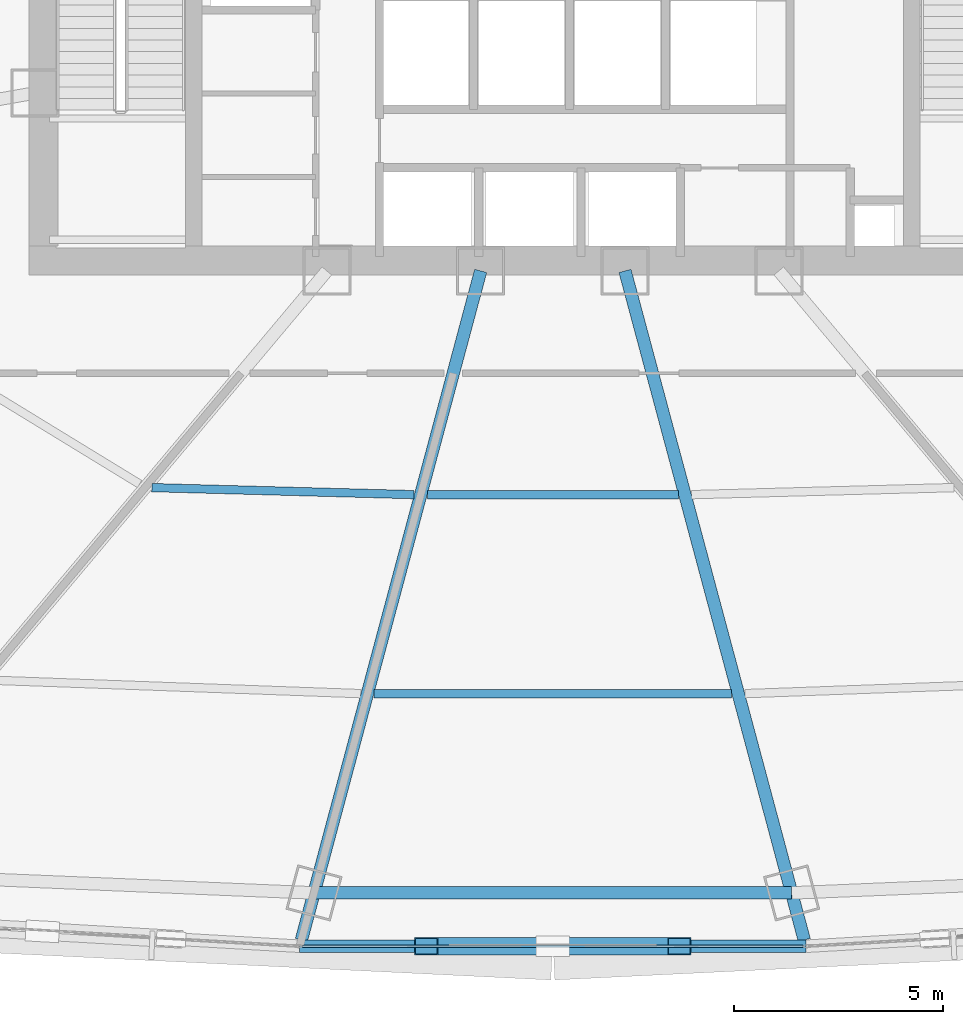
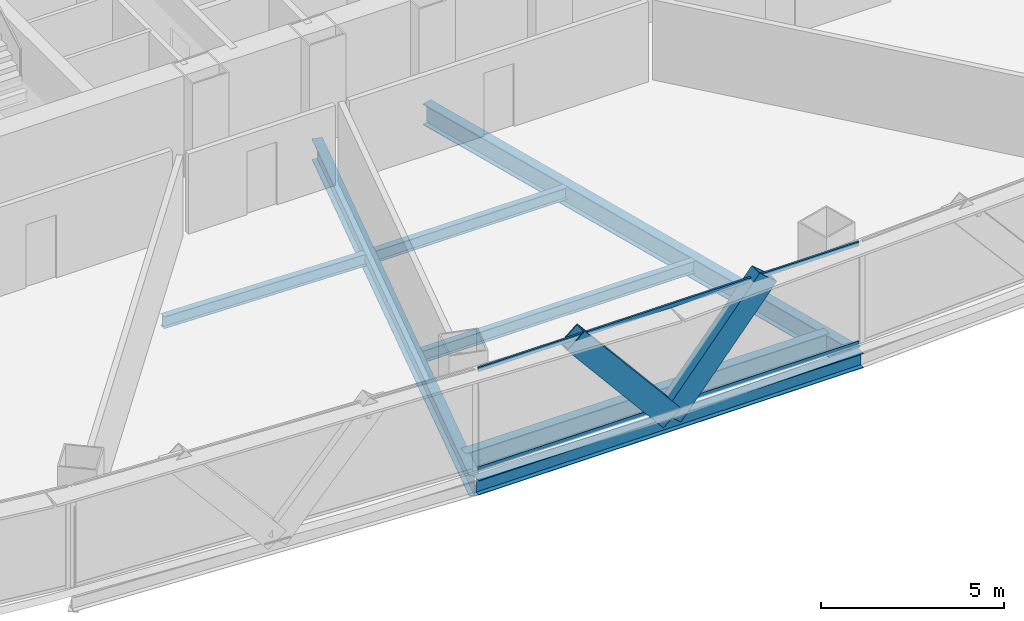
# One storey, part 9 of 37: 7 beams, 4 members, 1 element without a shape of its own.
"""IFC4 building model written with IfcOpenShell, lengths in metres."""

from ifc_helpers import new_model, si_unit, direction, frame, origin, origin_2d, place, context, subcontext, project, spatial, hollow_rectangle, i_section, extrude, source, transform, mapped, material, layer, layer_set, material_profile, profile_set, type_object, element, aggregate, save


model = new_model("IFC4")

# Units and contexts
model_context = context("Model", 3, precision=1e-05, world=origin(), true_north=direction((0.0, 1.0)))
body_context = subcontext(model_context, "Body", "Model", "MODEL_VIEW")
ifc_project = project(units=[si_unit("LENGTHUNIT", "METRE"), si_unit("AREAUNIT", "SQUARE_METRE"), si_unit("VOLUMEUNIT", "CUBIC_METRE"), si_unit("PLANEANGLEUNIT", "RADIAN"), si_unit("MASSUNIT", "GRAM", prefix="KILO"), si_unit("THERMODYNAMICTEMPERATUREUNIT", "KELVIN"), si_unit("POWERUNIT", "WATT")], contexts=[model_context])

# Site, building, storey
site_placement = place(None, origin())
site = spatial("IfcSite", under=ifc_project, at=site_placement, CompositionType="ELEMENT")
building_placement = place(site_placement, origin())
building = spatial("IfcBuilding", under=site, at=building_placement, Name="Yunzhuo Pagoda Commons", CompositionType="ELEMENT")
storey_placement = place(building_placement, frame((0.0, 0.0, 55.81005859375)))
storey = spatial("IfcBuildingStorey", under=building, at=storey_placement, Name="L14", CompositionType="ELEMENT", Elevation=55.81005859375)

# Beams
ifc_material_1 = material(Name="Structural steel Q355B", Category="steel")
ifc_material_profile_1 = material_profile(ifc_material_1, i_section(OverallWidth=0.300048828125, OverallDepth=0.699951171875, WebThickness=0.012939453125, FlangeThickness=0.02392578125, at=origin_2d()), Name="Structural steel Q355B")
ifc_profile_set_1 = profile_set([ifc_material_profile_1], Name="Structural steel Q355B")
beam_type_1 = type_object("IfcBeamType", Name="B-RG1 Beam HN 700x300x13x24", PredefinedType="BEAM", material=ifc_profile_set_1)
shared_shape_1 = source(origin(), body_context, "Body", "SweptSolid", [
    extrude(i_section(OverallWidth=0.300048828125, OverallDepth=0.699951171875, WebThickness=0.012939453125, FlangeThickness=0.02392578125, at=origin_2d()), origin(), (0.0, 0.0, 1.0), 11.4404296875),
])
beam_1_placement = place(storey_placement, frame((42.27978515625, 12.35205078125, -0.610107421875), z_axis=(1.0, 0.0, 0.0), x_axis=(0.0, 1.0, 0.0)))
element("IfcBeam", 1, at=beam_1_placement, inside=storey, type_object=beam_type_1, Name="L14 column-ring beam 2", PredefinedType="BEAM", context=body_context, shape_type="MappedRepresentation", body=[
    mapped(shared_shape_1, transform((0.0, 0.0, 0.0), scale=1.0)),
])
ifc_material_profile_2 = material_profile(ifc_material_1, i_section(OverallWidth=0.199951171875, OverallDepth=0.39990234375, WebThickness=0.008056640625, FlangeThickness=0.012939453125, at=origin_2d()), Name="Structural steel Q355B")
ifc_profile_set_2 = profile_set([ifc_material_profile_2], Name="Structural steel Q355B")
beam_type_2 = type_object("IfcBeamType", Name="B-JS1 Joist HN 400x200x8x13", PredefinedType="JOIST", material=ifc_profile_set_2)
shared_shape_2 = source(origin(), body_context, "Body", "SweptSolid", [
    extrude(i_section(OverallWidth=0.199951171875, OverallDepth=0.39990234375, WebThickness=0.008056640625, FlangeThickness=0.012939453125, at=origin_2d()), origin(), (0.0, 0.0, 1.0), 6.28271484375),
])
beam_2_placement = place(storey_placement, frame((38.395263671875, 22.06005859375, -0.4599609375), z_axis=(0.999638393847, -0.026890175648, 0.0), x_axis=(0.026890175648, 0.999638393847, 0.0)))
element("IfcBeam", 2, at=beam_2_placement, inside=storey, type_object=beam_type_2, Name="L14 composite ring joist 1.1", PredefinedType="JOIST", context=body_context, shape_type="MappedRepresentation", body=[
    mapped(shared_shape_2, transform((0.0, 0.0, 0.0), scale=1.0)),
])
shared_shape_3 = source(origin(), body_context, "Body", "SweptSolid", [
    extrude(i_section(OverallWidth=0.199951171875, OverallDepth=0.39990234375, WebThickness=0.008056640625, FlangeThickness=0.012939453125, at=origin_2d()), origin(), (0.0, 0.0, 1.0), 6.0126953125),
])
beam_3_placement = place(storey_placement, frame((44.99365234375, 21.88671875, -0.4599609375), z_axis=(1.0, 0.0, 0.0), x_axis=(0.0, 1.0, 0.0)))
element("IfcBeam", 3, at=beam_3_placement, inside=storey, type_object=beam_type_2, Name="L14 composite ring joist 1.2", PredefinedType="JOIST", context=body_context, shape_type="MappedRepresentation", body=[
    mapped(shared_shape_3, transform((0.0, 0.0, 0.0), scale=1.0)),
])
shared_shape_4 = source(origin(), body_context, "Body", "SweptSolid", [
    extrude(i_section(OverallWidth=0.199951171875, OverallDepth=0.39990234375, WebThickness=0.008056640625, FlangeThickness=0.012939453125, at=origin_2d()), origin(), (0.0, 0.0, 1.0), 8.5673828125),
])
beam_4_placement = place(storey_placement, frame((43.71630859375, 17.119384765625, -0.4599609375), z_axis=(1.0, 0.0, 0.0), x_axis=(0.0, 1.0, 0.0)))
element("IfcBeam", 4, at=beam_4_placement, inside=storey, type_object=beam_type_2, Name="L14 composite ring joist 2.2", PredefinedType="JOIST", context=body_context, shape_type="MappedRepresentation", body=[
    mapped(shared_shape_4, transform((0.0, 0.0, 0.0), scale=1.0)),
])
shared_shape_5 = source(origin(), body_context, "Body", "SweptSolid", [
    extrude(i_section(OverallWidth=0.300048828125, OverallDepth=0.699951171875, WebThickness=0.012939453125, FlangeThickness=0.02392578125, at=origin_2d()), origin(), (0.0, 0.0, 1.0), 16.591064453125),
])
beam_5_placement = place(storey_placement, frame((41.977783203125, 11.224365234375, -0.610107421875), z_axis=(0.258826555959, 0.96592381373, 0.0), x_axis=(-0.96592381373, 0.258826555959, 0.0)))
element("IfcBeam", 5, at=beam_5_placement, inside=storey, type_object=beam_type_1, Name="L14 radial floor girder F1C2", PredefinedType="BEAM", context=body_context, shape_type="MappedRepresentation", body=[
    mapped(shared_shape_5, transform((0.0, 0.0, 0.0), scale=1.0)),
])
shared_shape_6 = source(origin(), body_context, "Body", "SweptSolid", [
    extrude(i_section(OverallWidth=0.300048828125, OverallDepth=0.699951171875, WebThickness=0.012939453125, FlangeThickness=0.02392578125, at=origin_2d()), origin(), (0.0, 0.0, 1.0), 16.5908203125),
])
beam_6_placement = place(storey_placement, frame((54.022216796875, 11.224365234375, -0.610107421875), z_axis=(-0.258799096727, 0.965931171219, 0.0), x_axis=(-0.965931171219, -0.258799096727, 0.0)))
element("IfcBeam", 6, at=beam_6_placement, inside=storey, type_object=beam_type_1, Name="L14 radial floor girder F1C3", PredefinedType="BEAM", context=body_context, shape_type="MappedRepresentation", body=[
    mapped(shared_shape_6, transform((0.0, 0.0, 0.0), scale=1.0)),
])
ifc_material_profile_3 = material_profile(ifc_material_1, i_section(OverallWidth=0.300048828125, OverallDepth=0.488037109375, WebThickness=0.010986328125, FlangeThickness=0.01806640625, at=origin_2d()), Name="Structural steel Q355B")
ifc_profile_set_3 = profile_set([ifc_material_profile_3], Name="Structural steel Q355B")
beam_type_3 = type_object("IfcBeamType", Name="B-SP1 Beam HM 488x300x11x18", PredefinedType="BEAM", material=ifc_profile_set_3)
shared_shape_7 = source(origin(), body_context, "Body", "SweptSolid", [
    extrude(i_section(OverallWidth=0.300048828125, OverallDepth=0.488037109375, WebThickness=0.010986328125, FlangeThickness=0.01806640625, at=origin_2d()), origin(), (0.0, 0.0, 1.0), 12.125),
])
beam_7_placement = place(storey_placement, frame((41.9375, 11.07470703125, -0.504150390625), z_axis=(1.0, 0.0, 0.0), x_axis=(0.0, 1.0, 0.0)))
element("IfcBeam", 7, at=beam_7_placement, inside=storey, type_object=beam_type_3, Name="L14 facade edge spandrel beam F1.2", PredefinedType="BEAM", context=body_context, shape_type="MappedRepresentation", body=[
    mapped(shared_shape_7, transform((0.0, 0.0, 0.0), scale=1.0)),
])

# Members
ifc_material_2 = material(Name="Structural steel Q420B", Category="steel")
ifc_material_profile_4 = material_profile(ifc_material_2, hollow_rectangle(XDim=0.419921875, YDim=0.719970703125, WallThickness=0.028076171875, at=origin_2d()), Name="Structural steel Q420B")
ifc_profile_set_4 = profile_set([ifc_material_profile_4], Name="Structural steel Q420B")
member_type_1 = type_object("IfcMemberType", Name="M-DL1 Brace BOX 720x420x28", PredefinedType="BRACE", material=ifc_profile_set_4)
shared_shape_8 = source(origin(), body_context, "Body", "SweptSolid", [
    extrude(hollow_rectangle(XDim=0.419921875, YDim=0.719970703125, WallThickness=0.028076171875, at=origin_2d()), origin(), (0.0, 0.0, 1.0), 4.72900390625),
])
for number, where, z_axis, x_axis, name in (
    (8, (48.0, 11.07470703125, -0.260009765625), (-0.64097620712, 0.0, 0.767560748023), (0.0, -1.0, 0.0), "L14 facade diamond brace F1.2L"),
    (9, (48.0, 11.07470703125, -0.260009765625), (0.64097620712, 0.0, 0.767560748023), (0.0, 1.0, 0.0), "L14 facade diamond brace F1.2R"),
):
    element("IfcMember", number, at=place(storey_placement, frame(where, z_axis=z_axis, x_axis=x_axis)), inside=storey, type_object=member_type_1, Name=name, PredefinedType="BRACE", context=body_context, shape_type="MappedRepresentation", body=[
        mapped(shared_shape_8, transform((0.0, 0.0, 0.0), scale=1.0)),
    ])

# Curtain wall, members
ifc_material_3 = material(Name="Anodized aluminium 6063-T6", Category="aluminium")
ifc_layer = layer(ifc_material_3, 0.1650390625)
ifc_layer_set = layer_set([ifc_layer], Name="Anodized aluminium 6063-T6")
curtain_wall_type = type_object("IfcCurtainWallType", Name="CW-LOW Low-Zone Ribbon Curtain Wall", PredefinedType="NOTDEFINED", material=ifc_layer_set)
curtain_wall_placement = place(storey_placement, origin())
curtain_wall = element("IfcCurtainWall", 10, at=curtain_wall_placement, inside=storey, type_object=curtain_wall_type, Name="L14 curtain wall CW-L14-F1B3", PredefinedType="NOTDEFINED")
ifc_material_profile_5 = material_profile(ifc_material_3, hollow_rectangle(XDim=0.06005859375, YDim=0.139892578125, WallThickness=0.00341796875, at=origin_2d()), Name="Anodized aluminium 6063-T6")
ifc_profile_set_5 = profile_set([ifc_material_profile_5], Name="Anodized aluminium 6063-T6")
member_type_2 = type_object("IfcMemberType", Name="CW-LOW-T Transom RHS 140x60x3.5", PredefinedType="USERDEFINED", material=ifc_profile_set_5)
shared_shape_9 = source(origin(), body_context, "Body", "SweptSolid", [
    extrude(hollow_rectangle(XDim=0.06005859375, YDim=0.139892578125, WallThickness=0.00341796875, at=origin_2d()), origin(), (0.0, 0.0, 1.0), 11.9951171875),
])
member_1_placement = place(storey_placement, frame((42.00244140625, 11.07470703125, 0.030029296875), z_axis=(1.0, 0.0, 0.0), x_axis=(0.0, 1.0, 0.0)))
member_1 = element("IfcMember", 11, at=member_1_placement, type_object=member_type_2, Name="CW transom 1.1", ObjectType="TRANSOM", PredefinedType="USERDEFINED", context=body_context, shape_type="MappedRepresentation", body=[
    mapped(shared_shape_9, transform((0.0, 0.0, 0.0), scale=1.0)),
])
member_2_placement = place(storey_placement, frame((42.00244140625, 11.07470703125, 3.33984375), z_axis=(1.0, 0.0, 0.0), x_axis=(0.0, 1.0, 0.0)))
member_2 = element("IfcMember", 12, at=member_2_placement, type_object=member_type_2, Name="CW transom 1.2", ObjectType="TRANSOM", PredefinedType="USERDEFINED", context=body_context, shape_type="MappedRepresentation", body=[
    mapped(shared_shape_9, transform((0.0, 0.0, 0.0), scale=1.0)),
])
aggregate(curtain_wall, [member_1, member_2])

save(model, "model.ifc")
